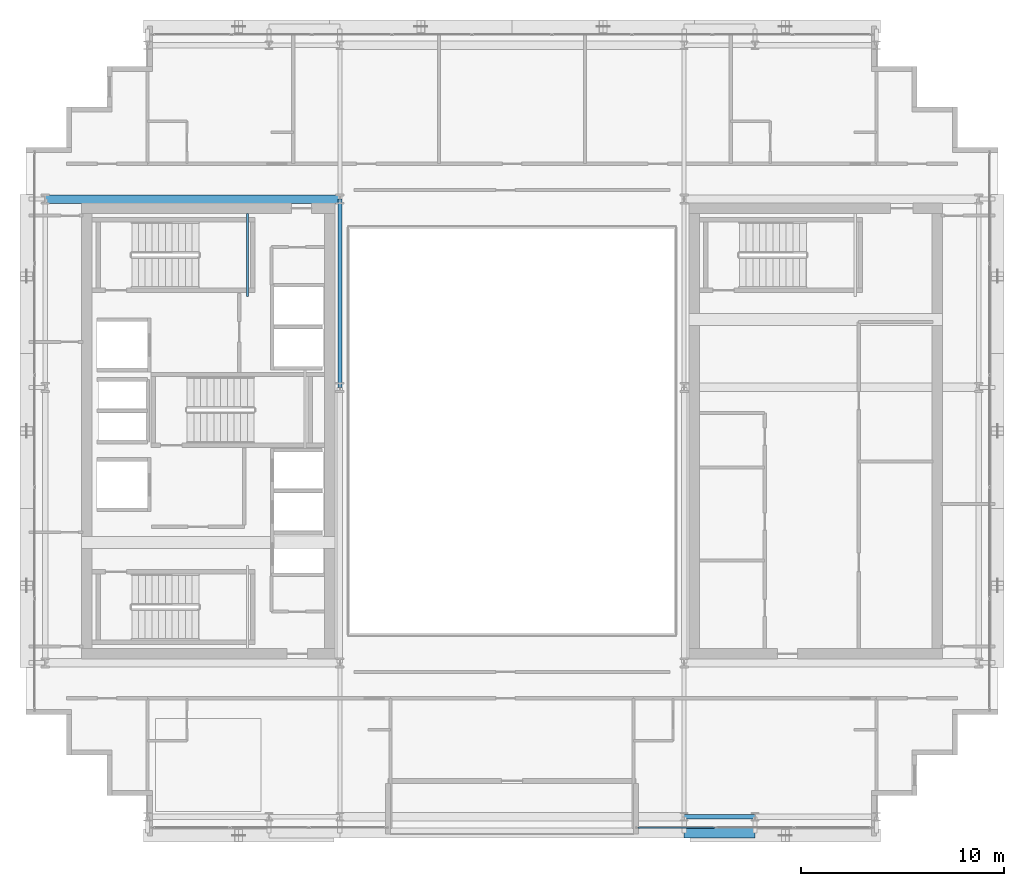
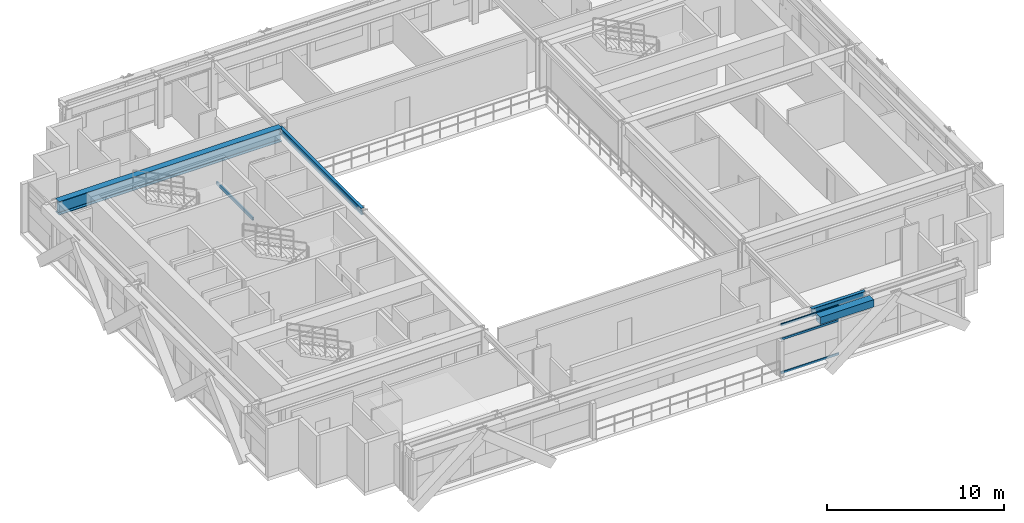
# One storey, part 9 of 30: 5 beams, 3 members, 1 element without a shape of its own.
"""IFC4 building model written with IfcOpenShell, lengths in metres."""

from ifc_helpers import new_model, si_unit, direction, frame, origin, origin_2d, place, context, subcontext, project, spatial, hollow_rectangle, i_section, extrude, source, transform, mapped, material, layer, layer_set, material_profile, profile_set, type_object, element, aggregate, save


model = new_model("IFC4")

# Units and contexts
model_context = context("Model", 3, precision=1e-05, world=origin(), true_north=direction((0.0, 1.0)))
body_context = subcontext(model_context, "Body", "Model", "MODEL_VIEW")
ifc_project = project(units=[si_unit("LENGTHUNIT", "METRE"), si_unit("AREAUNIT", "SQUARE_METRE"), si_unit("VOLUMEUNIT", "CUBIC_METRE"), si_unit("PLANEANGLEUNIT", "RADIAN"), si_unit("MASSUNIT", "GRAM", prefix="KILO")], contexts=[model_context])

# Site, building, storey
site_placement = place(None, origin())
site = spatial("IfcSite", under=ifc_project, at=site_placement, CompositionType="ELEMENT")
building_placement = place(site_placement, origin())
building = spatial("IfcBuilding", under=site, at=building_placement, Name="Ocotamira Hotel", CompositionType="ELEMENT")
storey_placement = place(building_placement, frame((0.0, 0.0, 195.60009765625)))
storey = spatial("IfcBuildingStorey", under=building, at=storey_placement, Name="L49", CompositionType="ELEMENT", Elevation=195.60009765625)

# Beams
ifc_material_1 = material(Name="Steel ASTM A500 Grade C", Category="steel")
ifc_material_profile_1 = material_profile(ifc_material_1, hollow_rectangle(XDim=0.10009765625, YDim=0.199951171875, WallThickness=0.008056640625, at=origin_2d()), Name="HSS200X100X8")
ifc_profile_set_1 = profile_set([ifc_material_profile_1], Name="Steel ASTM A500 Grade C")
beam_type_1 = type_object("IfcBeamType", Name="BM-STLDG-HSS200", PredefinedType="BEAM", material=ifc_profile_set_1)
shared_shape_1 = source(origin(), body_context, "Body", "SweptSolid", [
    extrude(hollow_rectangle(XDim=0.10009765625, YDim=0.199951171875, WallThickness=0.008056640625, at=origin_2d()), origin(), (0.0, 0.0, 1.0), 4.1201171875),
])
beam_1_placement = place(storey_placement, frame((18.949951171875, 32.6298828125, 1.5), z_axis=(0.0, 1.0, 0.0), x_axis=(-1.0, 0.0, 0.0)))
element("IfcBeam", 1, at=beam_1_placement, inside=storey, type_object=beam_type_1, Name="L49 Stair ST-2 Landing Bearer 1", PredefinedType="BEAM", context=body_context, shape_type="MappedRepresentation", body=[
    mapped(shared_shape_1, transform((0.0, 0.0, 0.0), scale=1.0)),
])
ifc_material_2 = material(Name="Steel ASTM A992 Grade 50", Category="steel")
ifc_material_profile_2 = material_profile(ifc_material_2, i_section(OverallWidth=0.41796875, OverallDepth=0.927001953125, WebThickness=0.019287109375, FlangeThickness=0.031982421875, FilletRadius=0.02392578125, at=origin_2d()), Name="W36X231")
ifc_profile_set_2 = profile_set([ifc_material_profile_2], Name="Steel ASTM A992 Grade 50")
beam_type_2 = type_object("IfcBeamType", Name="BM-GIRD-W36X231", PredefinedType="BEAM", material=ifc_profile_set_2)
shared_shape_2 = source(origin(), body_context, "Body", "SweptSolid", [
    extrude(i_section(OverallWidth=0.41796875, OverallDepth=0.927001953125, WebThickness=0.019287109375, FlangeThickness=0.031982421875, FilletRadius=0.02392578125, at=origin_2d()), origin(), (0.0, 0.0, 1.0), 14.550048828125),
])
beam_2_placement = place(storey_placement, frame((8.949951171875, 37.449951171875, 2.906494140625), z_axis=(1.0, 0.0, 0.0), x_axis=(0.0, 1.0, 0.0)))
element("IfcBeam", 2, at=beam_2_placement, inside=storey, type_object=beam_type_2, Name="L49 Girder Y37.45 X8.95-23.5", PredefinedType="BEAM", context=body_context, shape_type="MappedRepresentation", body=[
    mapped(shared_shape_2, transform((0.0, 0.0, 0.0), scale=1.0)),
])
ifc_material_profile_3 = material_profile(ifc_material_2, i_section(OverallWidth=0.2099609375, OverallDepth=0.537109375, WebThickness=0.010986328125, FlangeThickness=0.017333984375, FilletRadius=0.012939453125, at=origin_2d()), Name="W21X68")
ifc_profile_set_3 = profile_set([ifc_material_profile_3], Name="Steel ASTM A992 Grade 50")
beam_type_3 = type_object("IfcBeamType", Name="BM-SEC-W21X68", PredefinedType="JOIST", material=ifc_profile_set_3)
shared_shape_3 = source(origin(), body_context, "Body", "SweptSolid", [
    extrude(i_section(OverallWidth=0.2099609375, OverallDepth=0.537109375, WebThickness=0.010986328125, FlangeThickness=0.017333984375, FilletRadius=0.012939453125, at=origin_2d()), origin(), (0.0, 0.0, 1.0), 3.5),
])
beam_3_placement = place(storey_placement, frame((40.5, 6.949951171875, 3.101318359375), z_axis=(1.0, 0.0, 0.0), x_axis=(0.0, 1.0, 0.0)))
element("IfcBeam", 3, at=beam_3_placement, inside=storey, type_object=beam_type_3, Name="L49 Girder Y6.95 X40.5-44", PredefinedType="JOIST", context=body_context, shape_type="MappedRepresentation", body=[
    mapped(shared_shape_3, transform((0.0, 0.0, 0.0), scale=1.0)),
])
ifc_material_profile_4 = material_profile(ifc_material_2, i_section(OverallWidth=0.18994140625, OverallDepth=0.45703125, WebThickness=0.009033203125, FlangeThickness=0.014404296875, FilletRadius=0.010009765625, at=origin_2d()), Name="W18X50")
ifc_profile_set_4 = profile_set([ifc_material_profile_4], Name="Steel ASTM A992 Grade 50")
beam_type_4 = type_object("IfcBeamType", Name="BM-SEC-W18X50", PredefinedType="JOIST", material=ifc_profile_set_4)
shared_shape_4 = source(origin(), body_context, "Body", "SweptSolid", [
    extrude(i_section(OverallWidth=0.18994140625, OverallDepth=0.45703125, WebThickness=0.009033203125, FlangeThickness=0.014404296875, FilletRadius=0.010009765625, at=origin_2d()), origin(), (0.0, 0.0, 1.0), 9.300048828125),
])
beam_4_placement = place(storey_placement, frame((23.5, 28.14990234375, 3.141357421875), z_axis=(0.0, 1.0, 0.0), x_axis=(-1.0, 0.0, 0.0)))
element("IfcBeam", 4, at=beam_4_placement, inside=storey, type_object=beam_type_4, Name="L49 Beam X23.5 Y28.15-37.45", PredefinedType="JOIST", context=body_context, shape_type="MappedRepresentation", body=[
    mapped(shared_shape_4, transform((0.0, 0.0, 0.0), scale=1.0)),
])
ifc_material_profile_5 = material_profile(ifc_material_1, hollow_rectangle(XDim=0.5, YDim=0.5, WallThickness=0.02001953125, at=origin_2d()), Name="HSS500X500X20")
ifc_profile_set_5 = profile_set([ifc_material_profile_5], Name="Steel ASTM A500 Grade C")
beam_type_5 = type_object("IfcBeamType", Name="BM-SPAN-HSS500", PredefinedType="USERDEFINED", material=ifc_profile_set_5)
shared_shape_5 = source(origin(), body_context, "Body", "SweptSolid", [
    extrude(hollow_rectangle(XDim=0.5, YDim=0.5, WallThickness=0.02001953125, at=origin_2d()), origin(), (0.0, 0.0, 1.0), 3.5),
])
beam_5_placement = place(storey_placement, frame((40.5, 6.14990234375, 3.119873046875), z_axis=(1.0, 0.0, 0.0), x_axis=(0.0, 1.0, 0.0)))
element("IfcBeam", 5, at=beam_5_placement, inside=storey, type_object=beam_type_5, Name="L49 Edge Spandrel S X40.5-44", ObjectType="SPANDREL", PredefinedType="USERDEFINED", context=body_context, shape_type="MappedRepresentation", body=[
    mapped(shared_shape_5, transform((0.0, 0.0, 0.0), scale=1.0)),
])

# Curtain wall, members
ifc_material_3 = material(Name="Anodised pale-metal aluminium and solar glass", Category="aluminium")
ifc_layer = layer(ifc_material_3, 0.199951171875)
ifc_layer_set = layer_set([ifc_layer], Name="Anodised pale-metal aluminium and solar glass")
curtain_wall_type = type_object("IfcCurtainWallType", Name="CW-SYS4-Z3", PredefinedType="NOTDEFINED", material=ifc_layer_set)
curtain_wall_placement = place(storey_placement, origin())
curtain_wall = element("IfcCurtainWall", 6, at=curtain_wall_placement, inside=storey, type_object=curtain_wall_type, Name="L49 Curtain Wall CW-4 CW-L49-S2", PredefinedType="NOTDEFINED")
ifc_material_4 = material(Name="Anodised pale-metal aluminium 6063-T6", Category="aluminium")
ifc_material_profile_6 = material_profile(ifc_material_4, hollow_rectangle(XDim=0.074951171875, YDim=0.14990234375, WallThickness=0.006103515625, at=origin_2d()), Name="HSS150X75X6")
ifc_profile_set_6 = profile_set([ifc_material_profile_6], Name="Anodised pale-metal aluminium 6063-T6")
member_type = type_object("IfcMemberType", Name="CWT-150X75", PredefinedType="USERDEFINED", material=ifc_profile_set_6)
shared_shape_6 = source(origin(), body_context, "Body", "SweptSolid", [
    extrude(hollow_rectangle(XDim=0.074951171875, YDim=0.14990234375, WallThickness=0.006103515625, at=origin_2d()), origin(), (0.0, 0.0, 1.0), 3.763427734375),
])
member_1_placement = place(storey_placement, frame((38.22998046875, 6.419921875, 0.037353515625), z_axis=(1.0, 0.0, 0.0), x_axis=(0.0, 1.0, 0.0)))
member_1 = element("IfcMember", 7, at=member_1_placement, type_object=member_type, Name="CW-4 transom 1.1", ObjectType="TRANSOM", PredefinedType="USERDEFINED", context=body_context, shape_type="MappedRepresentation", body=[
    mapped(shared_shape_6, transform((0.0, 0.0, 0.0), scale=1.0)),
])
member_2_placement = place(storey_placement, frame((38.22998046875, 6.419921875, 2.349853515625), z_axis=(1.0, 0.0, 0.0), x_axis=(0.0, 1.0, 0.0)))
member_2 = element("IfcMember", 8, at=member_2_placement, type_object=member_type, Name="CW-4 transom 1.2", ObjectType="TRANSOM", PredefinedType="USERDEFINED", context=body_context, shape_type="MappedRepresentation", body=[
    mapped(shared_shape_6, transform((0.0, 0.0, 0.0), scale=1.0)),
])
member_3_placement = place(storey_placement, frame((38.22998046875, 6.419921875, 3.33251953125), z_axis=(1.0, 0.0, 0.0), x_axis=(0.0, 1.0, 0.0)))
member_3 = element("IfcMember", 9, at=member_3_placement, type_object=member_type, Name="CW-4 transom 1.3", ObjectType="TRANSOM", PredefinedType="USERDEFINED", context=body_context, shape_type="MappedRepresentation", body=[
    mapped(shared_shape_6, transform((0.0, 0.0, 0.0), scale=1.0)),
])
aggregate(curtain_wall, [member_1, member_2, member_3])

save(model, "model.ifc")
